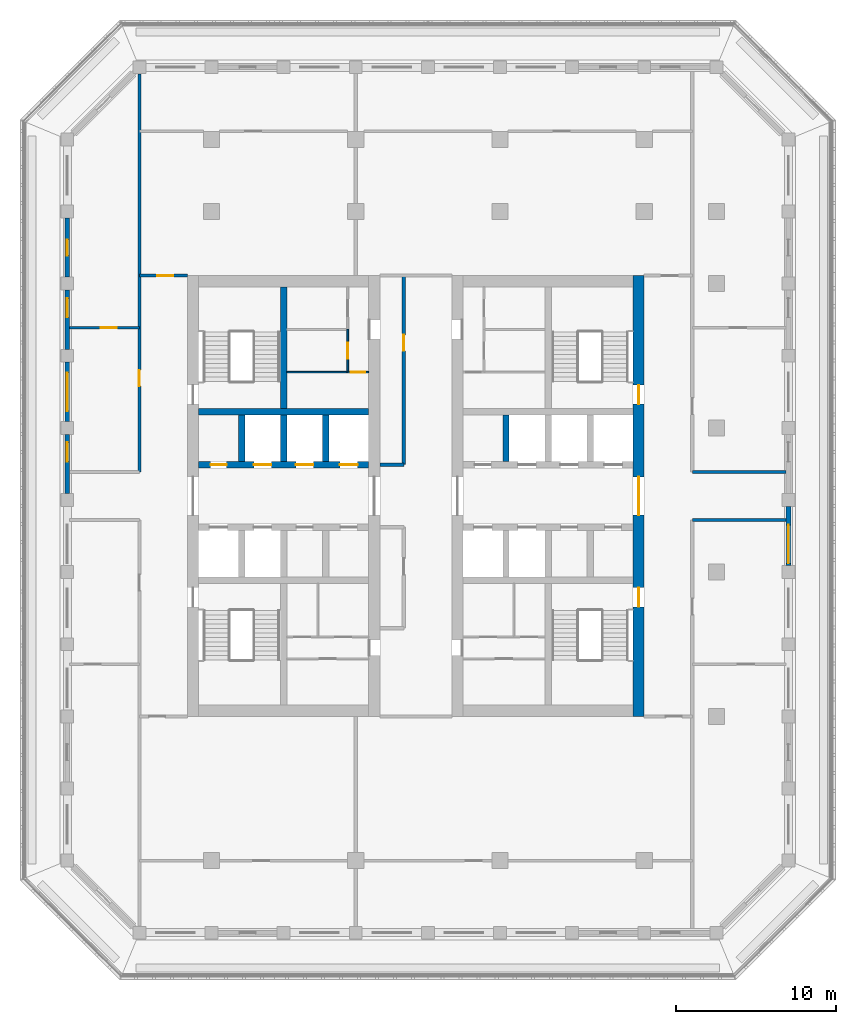
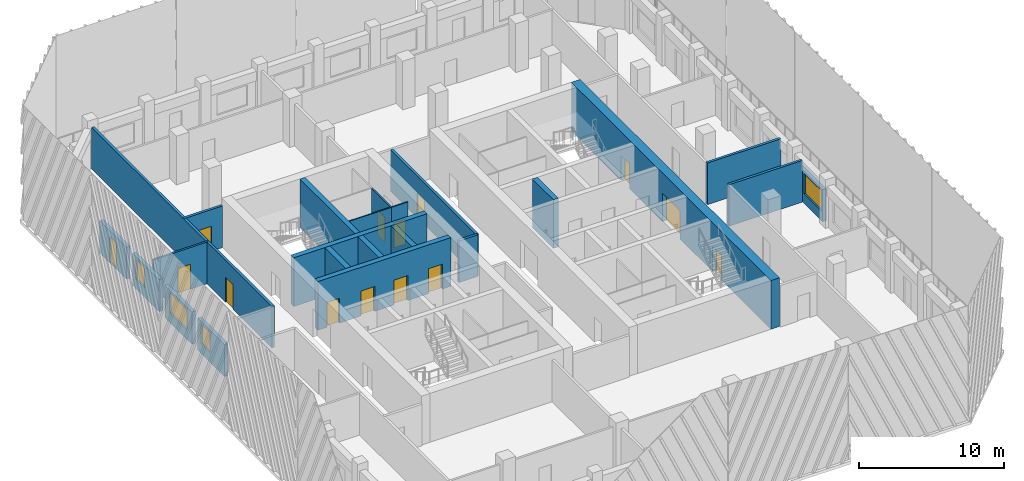
# One storey, part 5 of 17: 23 walls, 14 doors, 4 windows, 18 openings.
"""IFC4 building model written with IfcOpenShell, lengths in metres."""

from ifc_helpers import new_model, si_unit, direction, frame, frame_2d, origin, place, context, subcontext, project, spatial, rectangle, extrude, material, layer, layer_set, type_object, element, fill, save


model = new_model("IFC4")

# Units and contexts
model_context = context("Model", 3, precision=1e-05, world=origin(), true_north=direction((0.0, 1.0)))
body_context = subcontext(model_context, "Body", "Model", "MODEL_VIEW")
ifc_project = project(units=[si_unit("LENGTHUNIT", "METRE"), si_unit("AREAUNIT", "SQUARE_METRE"), si_unit("VOLUMEUNIT", "CUBIC_METRE"), si_unit("PLANEANGLEUNIT", "RADIAN"), si_unit("MASSUNIT", "GRAM", prefix="KILO")], contexts=[model_context])

# Site, building, storey
site_placement = place(None, origin())
site = spatial("IfcSite", under=ifc_project, at=site_placement, CompositionType="ELEMENT")
building_placement = place(site_placement, origin())
building = spatial("IfcBuilding", under=site, at=building_placement, Name="Corbel Stack Research Tower", CompositionType="ELEMENT")
storey_placement = place(building_placement, frame((0.0, 0.0, 256.199951171875)))
storey = spatial("IfcBuildingStorey", under=building, at=storey_placement, Name="L58", CompositionType="ELEMENT", Elevation=256.199951171875)

# Wall, openings, doors
ifc_material_1 = material(Name="Concrete C60/75", Category="concrete")
ifc_layer_1 = layer(ifc_material_1, 0.39990234375)
ifc_layer_set_1 = layer_set([ifc_layer_1], Name="Concrete C60/75")
wall_type_1 = type_object("IfcWallType", Name="CW-400-60", PredefinedType="SHEAR", material=ifc_layer_set_1)
wall_1_placement = place(storey_placement, frame((-9.800048828125, 6.699951171875, 0.0), z_axis=(0.0, 0.0, 1.0), x_axis=(1.0, 0.0, 0.0)))
wall_1 = element("IfcWall", 1, at=wall_1_placement, inside=storey, type_object=wall_type_1, Name="West core wall, lobby north L58", PredefinedType="SHEAR", context=body_context, shape_type="SweptSolid", body=[
    extrude(rectangle(XDim=10.60009765625, YDim=0.39990234375, at=frame_2d((5.300048828125, 0.0))), origin(), (0.0, 0.0, 1.0), 4.10009765625),
])
opening_1_placement = place(wall_1_placement, frame((3.4375, 0.0, 0.0)))
opening_1 = element("IfcOpeningElement", 2, at=opening_1_placement, cuts=wall_1, Name="Opening LD-HR1", PredefinedType="OPENING", context=body_context, shape_type="SweptSolid", body=[
    extrude(rectangle(XDim=1.10009765625, YDim=2.10009765625, at=frame_2d((0.550048828125, 1.050048828125))), frame((0.0, 0.2099609375, 0.0), z_axis=(0.0, -1.0, 0.0), x_axis=(1.0, 0.0, 0.0)), (0.0, 0.0, 1.0), 0.419921875),
])
opening_2_placement = place(wall_1_placement, frame((6.0625, 0.0, 0.0)))
opening_2 = element("IfcOpeningElement", 3, at=opening_2_placement, cuts=wall_1, Name="Opening LD-HR2", PredefinedType="OPENING", context=body_context, shape_type="SweptSolid", body=[
    extrude(rectangle(XDim=1.10009765625, YDim=2.10009765625, at=frame_2d((0.550048828125, 1.050048828125))), frame((0.0, 0.2099609375, 0.0), z_axis=(0.0, -1.0, 0.0), x_axis=(1.0, 0.0, 0.0)), (0.0, 0.0, 1.0), 0.419921875),
])
opening_3_placement = place(wall_1_placement, frame((8.8125, 0.0, 0.0)))
opening_3 = element("IfcOpeningElement", 4, at=opening_3_placement, cuts=wall_1, Name="Opening LD-HR3", PredefinedType="OPENING", context=body_context, shape_type="SweptSolid", body=[
    extrude(rectangle(XDim=1.10009765625, YDim=2.10009765625, at=frame_2d((0.550048828125, 1.050048828125))), frame((0.0, 0.2099609375, 0.0), z_axis=(0.0, -1.0, 0.0), x_axis=(1.0, 0.0, 0.0)), (0.0, 0.0, 1.0), 0.419921875),
])
opening_4_placement = place(wall_1_placement, frame((0.737548828125, 0.0, 0.0)))
opening_4 = element("IfcOpeningElement", 5, at=opening_4_placement, cuts=wall_1, Name="Opening CR-W24-N1", PredefinedType="OPENING", context=body_context, shape_type="SweptSolid", body=[
    extrude(rectangle(XDim=1.0, YDim=2.10009765625, at=frame_2d((0.5, 1.050048828125))), frame((0.0, 0.2099609375, 0.0), z_axis=(0.0, -1.0, 0.0), x_axis=(1.0, 0.0, 0.0)), (0.0, 0.0, 1.0), 0.419921875),
])
ifc_material_2 = material(Name="Stainless steel landing door", Category="steel")
door_type_1 = type_object("IfcDoorType", Name="Lift landing door 1100 x 2100", OperationType="DOUBLE_DOOR_SLIDING", PredefinedType="DOOR", material=ifc_material_2)
door_1_placement = place(opening_1_placement, origin())
door_1 = element("IfcDoor", 6, at=door_1_placement, inside=storey, type_object=door_type_1, Name="Landing door HR1", OperationType="DOUBLE_DOOR_SLIDING", OverallHeight=2.10009765625, OverallWidth=1.10009765625, PredefinedType="DOOR", context=body_context, shape_type="SweptSolid", body=[
    extrude(rectangle(XDim=1.10009765625, YDim=2.10009765625, at=frame_2d((0.550048828125, 1.050048828125))), frame((0.0, 0.02490234375, 0.0), z_axis=(0.0, -1.0, 0.0), x_axis=(1.0, 0.0, 0.0)), (0.0, 0.0, 1.0), 0.050048828125),
])
fill(opening_1, door_1)
door_2_placement = place(opening_2_placement, origin())
door_2 = element("IfcDoor", 7, at=door_2_placement, inside=storey, type_object=door_type_1, Name="Landing door HR2", OperationType="DOUBLE_DOOR_SLIDING", OverallHeight=2.10009765625, OverallWidth=1.10009765625, PredefinedType="DOOR", context=body_context, shape_type="SweptSolid", body=[
    extrude(rectangle(XDim=1.10009765625, YDim=2.10009765625, at=frame_2d((0.550048828125, 1.050048828125))), frame((0.0, 0.02490234375, 0.0), z_axis=(0.0, -1.0, 0.0), x_axis=(1.0, 0.0, 0.0)), (0.0, 0.0, 1.0), 0.050048828125),
])
fill(opening_2, door_2)
door_3_placement = place(opening_3_placement, origin())
door_3 = element("IfcDoor", 8, at=door_3_placement, inside=storey, type_object=door_type_1, Name="Landing door HR3", OperationType="DOUBLE_DOOR_SLIDING", OverallHeight=2.10009765625, OverallWidth=1.10009765625, PredefinedType="DOOR", context=body_context, shape_type="SweptSolid", body=[
    extrude(rectangle(XDim=1.10009765625, YDim=2.10009765625, at=frame_2d((0.550048828125, 1.050048828125))), frame((0.0, 0.02490234375, 0.0), z_axis=(0.0, -1.0, 0.0), x_axis=(1.0, 0.0, 0.0)), (0.0, 0.0, 1.0), 0.050048828125),
])
fill(opening_3, door_3)
ifc_material_3 = material(Name="Painted steel door", Category="steel")
door_type_2 = type_object("IfcDoorType", Name="Service door 1000 x 2100 FD60 left hand", OperationType="SINGLE_SWING_LEFT", PredefinedType="DOOR", material=ifc_material_3)
door_4_placement = place(opening_4_placement, origin())
door_4 = element("IfcDoor", 9, at=door_4_placement, inside=storey, type_object=door_type_2, Name="Telecom room door W core", OperationType="SINGLE_SWING_LEFT", OverallHeight=2.10009765625, OverallWidth=1.0, PredefinedType="DOOR", context=body_context, shape_type="SweptSolid", body=[
    extrude(rectangle(XDim=1.0, YDim=2.10009765625, at=frame_2d((0.5, 1.050048828125))), frame((0.0, 0.02490234375, 0.0), z_axis=(0.0, -1.0, 0.0), x_axis=(1.0, 0.0, 0.0)), (0.0, 0.0, 1.0), 0.050048828125),
])
fill(opening_4, door_4)

# Walls
wall_2_placement = place(storey_placement, frame((-9.800048828125, 10.0, 0.0), z_axis=(0.0, 0.0, 1.0), x_axis=(1.0, 0.0, 0.0)))
element("IfcWall", 10, at=wall_2_placement, inside=storey, type_object=wall_type_1, Name="West core wall, north row back L58", PredefinedType="SHEAR", context=body_context, shape_type="SweptSolid", body=[
    extrude(rectangle(XDim=10.60009765625, YDim=0.39990234375, at=frame_2d((5.300048828125, 0.0))), origin(), (0.0, 0.0, 1.0), 4.10009765625),
])
for number, where, z_axis, x_axis, name in (
    (11, (-7.125, 6.89990234375, 0.0), (0.0, 0.0, 1.0), (0.0, 1.0, 0.0), "West core wall, north shaft 1 L58"),
    (12, (-4.5, 6.89990234375, 0.0), (0.0, 0.0, 1.0), (0.0, 1.0, 0.0), "West core wall, north shaft 2 L58"),
    (13, (-1.875, 6.89990234375, 0.0), (0.0, 0.0, 1.0), (0.0, 1.0, 0.0), "West core wall, north shaft 3 L58"),
):
    element("IfcWall", number, at=place(storey_placement, frame(where, z_axis=z_axis, x_axis=x_axis)), inside=storey, type_object=wall_type_1, Name=name, PredefinedType="SHEAR", context=body_context, shape_type="SweptSolid", body=[
        extrude(rectangle(XDim=2.900146484375, YDim=0.39990234375, at=frame_2d((1.4501953125, 0.0))), origin(), (0.0, 0.0, 1.0), 4.10009765625),
    ])
wall_3_placement = place(storey_placement, frame((-4.5, 10.199951171875, 0.0), z_axis=(0.0, 0.0, 1.0), x_axis=(0.0, 1.0, 0.0)))
element("IfcWall", 14, at=wall_3_placement, inside=storey, type_object=wall_type_1, Name="West core wall, north stair and riser L58", PredefinedType="SHEAR", context=body_context, shape_type="SweptSolid", body=[
    extrude(rectangle(XDim=7.60009765625, YDim=0.39990234375, at=frame_2d((3.800048828125, 0.0))), origin(), (0.0, 0.0, 1.0), 4.10009765625),
])
wall_4_placement = place(storey_placement, frame((9.375, 6.89990234375, 0.0), z_axis=(0.0, 0.0, 1.0), x_axis=(0.0, 1.0, 0.0)))
element("IfcWall", 15, at=wall_4_placement, inside=storey, type_object=wall_type_1, Name="East core wall, north shaft 1 L58", PredefinedType="SHEAR", context=body_context, shape_type="SweptSolid", body=[
    extrude(rectangle(XDim=2.900146484375, YDim=0.39990234375, at=frame_2d((1.4501953125, 0.0))), origin(), (0.0, 0.0, 1.0), 4.10009765625),
])

# Wall, openings, doors
ifc_material_4 = material(Name="Concrete C60/75", Category="concrete")
ifc_layer_2 = layer(ifc_material_4, 0.699951171875)
ifc_layer_set_2 = layer_set([ifc_layer_2], Name="Concrete C60/75")
wall_type_2 = type_object("IfcWallType", Name="CW-700-60", PredefinedType="SHEAR", material=ifc_layer_set_2)
wall_5_placement = place(storey_placement, frame((17.64990234375, -9.0, 0.0), z_axis=(0.0, 0.0, 1.0), x_axis=(0.0, 1.0, 0.0)))
wall_5 = element("IfcWall", 16, at=wall_5_placement, inside=storey, type_object=wall_type_2, Name="East core wall, east face L58", PredefinedType="SHEAR", context=body_context, shape_type="SweptSolid", body=[
    extrude(rectangle(XDim=27.5, YDim=0.699951171875, at=frame_2d((13.75, 0.0))), origin(), (0.0, 0.0, 1.0), 4.10009765625),
])
opening_5_placement = place(wall_5_placement, frame((12.550048828125, 0.0, 0.0)))
opening_5 = element("IfcOpeningElement", 17, at=opening_5_placement, cuts=wall_5, Name="Opening CD-E-E", PredefinedType="OPENING", context=body_context, shape_type="SweptSolid", body=[
    extrude(rectangle(XDim=2.39990234375, YDim=2.39990234375, at=frame_2d((1.199951171875, 1.199951171875))), frame((0.0, 0.35986328125, 0.0), z_axis=(0.0, -1.0, 0.0), x_axis=(1.0, 0.0, 0.0)), (0.0, 0.0, 1.0), 0.719970703125),
])
opening_6_placement = place(wall_5_placement, frame((6.824951171875, 0.0, 0.0)))
opening_6 = element("IfcOpeningElement", 18, at=opening_6_placement, cuts=wall_5, Name="Opening SD-ST-E1", PredefinedType="OPENING", context=body_context, shape_type="SweptSolid", body=[
    extrude(rectangle(XDim=1.199951171875, YDim=2.10009765625, at=frame_2d((0.60009765625, 1.050048828125))), frame((0.0, 0.35986328125, 0.0), z_axis=(0.0, -1.0, 0.0), x_axis=(1.0, 0.0, 0.0)), (0.0, 0.0, 1.0), 0.719970703125),
])
opening_7_placement = place(wall_5_placement, frame((19.47509765625, 0.0, 0.0)))
opening_7 = element("IfcOpeningElement", 19, at=opening_7_placement, cuts=wall_5, Name="Opening SD-ST-E2", PredefinedType="OPENING", context=body_context, shape_type="SweptSolid", body=[
    extrude(rectangle(XDim=1.199951171875, YDim=2.10009765625, at=frame_2d((0.60009765625, 1.050048828125))), frame((0.0, 0.35986328125, 0.0), z_axis=(0.0, -1.0, 0.0), x_axis=(1.0, 0.0, 0.0)), (0.0, 0.0, 1.0), 0.719970703125),
])
ifc_material_5 = material(Name="Painted steel fire door", Category="steel")
door_type_3 = type_object("IfcDoorType", Name="Lobby door pair 2400 x 2400 FD30S", OperationType="DOUBLE_DOOR_DOUBLE_SWING", PredefinedType="DOOR", material=ifc_material_5)
door_5_placement = place(opening_5_placement, origin())
door_5 = element("IfcDoor", 20, at=door_5_placement, inside=storey, type_object=door_type_3, Name="Lift lobby door E core E", OperationType="DOUBLE_DOOR_DOUBLE_SWING", OverallHeight=2.39990234375, OverallWidth=2.39990234375, PredefinedType="DOOR", context=body_context, shape_type="SweptSolid", body=[
    extrude(rectangle(XDim=2.39990234375, YDim=2.39990234375, at=frame_2d((1.199951171875, 1.199951171875))), frame((0.0, 0.02490234375, 0.0), z_axis=(0.0, -1.0, 0.0), x_axis=(1.0, 0.0, 0.0)), (0.0, 0.0, 1.0), 0.050048828125),
])
fill(opening_5, door_5)
ifc_material_6 = material(Name="Painted steel fire door", Category="steel")
door_type_4 = type_object("IfcDoorType", Name="Stair door 1200 x 2100 FD90 right hand", OperationType="SINGLE_SWING_RIGHT", PredefinedType="DOOR", material=ifc_material_6)
door_6_placement = place(opening_6_placement, frame((1.199951171875, 0.0, 0.0), z_axis=(0.0, 0.0, 1.0), x_axis=(-1.0, 0.0, 0.0)))
door_6 = element("IfcDoor", 21, at=door_6_placement, inside=storey, type_object=door_type_4, Name="Stair door ST-E1", OperationType="SINGLE_SWING_LEFT", OverallHeight=2.10009765625, OverallWidth=1.199951171875, PredefinedType="DOOR", context=body_context, shape_type="SweptSolid", body=[
    extrude(rectangle(XDim=1.199951171875, YDim=2.10009765625, at=frame_2d((0.60009765625, 1.050048828125))), frame((0.0, 0.02490234375, 0.0), z_axis=(0.0, -1.0, 0.0), x_axis=(1.0, 0.0, 0.0)), (0.0, 0.0, 1.0), 0.050048828125),
])
fill(opening_6, door_6)
door_7_placement = place(opening_7_placement, frame((1.199951171875, 0.0, 0.0), z_axis=(0.0, 0.0, 1.0), x_axis=(-1.0, 0.0, 0.0)))
door_7 = element("IfcDoor", 22, at=door_7_placement, inside=storey, type_object=door_type_4, Name="Stair door ST-E2", OperationType="SINGLE_SWING_LEFT", OverallHeight=2.10009765625, OverallWidth=1.199951171875, PredefinedType="DOOR", context=body_context, shape_type="SweptSolid", body=[
    extrude(rectangle(XDim=1.199951171875, YDim=2.10009765625, at=frame_2d((0.60009765625, 1.050048828125))), frame((0.0, 0.02490234375, 0.0), z_axis=(0.0, -1.0, 0.0), x_axis=(1.0, 0.0, 0.0)), (0.0, 0.0, 1.0), 0.050048828125),
])
fill(opening_7, door_7)

# Wall, opening, door
ifc_material_7 = material(Name="Gypsum board")
ifc_layer_3 = layer(ifc_material_7, 0.10009765625)
ifc_layer_set_3 = layer_set([ifc_layer_3], Name="Gypsum board")
wall_type_3 = type_object("IfcWallType", Name="Core partition 100", PredefinedType="PARTITIONING", material=ifc_layer_set_3)
wall_6_placement = place(storey_placement, frame((-0.5, 12.47998046875, 0.0), z_axis=(0.0, 0.0, 1.0), x_axis=(1.0, 0.0, 0.0)))
wall_6 = element("IfcWall", 23, at=wall_6_placement, inside=storey, type_object=wall_type_3, Name="Core partition W", PredefinedType="PARTITIONING", context=body_context, shape_type="SweptSolid", body=[
    extrude(rectangle(XDim=1.300048828125, YDim=0.10009765625, at=frame_2d((0.64990234375, 0.0))), origin(), (0.0, 0.0, 1.0), 3.5),
])
opening_8_placement = place(wall_6_placement, frame((0.199951171875, 0.0, 0.0)))
opening_8 = element("IfcOpeningElement", 24, at=opening_8_placement, cuts=wall_6, Name="Opening CR-W24-R1-900", PredefinedType="OPENING", context=body_context, shape_type="SweptSolid", body=[
    extrude(rectangle(XDim=0.89990234375, YDim=2.10009765625, at=frame_2d((0.449951171875, 1.050048828125))), frame((0.0, 0.06005859375, 0.0), z_axis=(0.0, -1.0, 0.0), x_axis=(1.0, 0.0, 0.0)), (0.0, 0.0, 1.0), 0.1201171875),
])
ifc_material_8 = material(Name="Painted steel door", Category="steel")
door_type_5 = type_object("IfcDoorType", Name="Riser door 900 x 2100 FD60 left hand", OperationType="SINGLE_SWING_LEFT", PredefinedType="DOOR", material=ifc_material_8)
door_8_placement = place(opening_8_placement, origin())
door_8 = element("IfcDoor", 25, at=door_8_placement, inside=storey, type_object=door_type_5, Name="Electrical riser door W core", OperationType="SINGLE_SWING_LEFT", OverallHeight=2.10009765625, OverallWidth=0.89990234375, PredefinedType="DOOR", context=body_context, shape_type="SweptSolid", body=[
    extrude(rectangle(XDim=0.89990234375, YDim=2.10009765625, at=frame_2d((0.449951171875, 1.050048828125))), frame((0.0, 0.02490234375, 0.0), z_axis=(0.0, -1.0, 0.0), x_axis=(1.0, 0.0, 0.0)), (0.0, 0.0, 1.0), 0.050048828125),
])
fill(opening_8, door_8)

# Wall
wall_7_placement = place(storey_placement, frame((-4.300048828125, 12.47998046875, 0.0), z_axis=(0.0, 0.0, 1.0), x_axis=(1.0, 0.0, 0.0)))
element("IfcWall", 26, at=wall_7_placement, inside=storey, type_object=wall_type_3, Name="Core partition W", PredefinedType="PARTITIONING", context=body_context, shape_type="SweptSolid", body=[
    extrude(rectangle(XDim=3.800048828125, YDim=0.10009765625, at=frame_2d((1.89990234375, 0.0))), origin(), (0.0, 0.0, 1.0), 3.5),
])

# Wall, opening, door
wall_8_placement = place(storey_placement, frame((-0.5, 12.47998046875, 0.0), z_axis=(0.0, 0.0, 1.0), x_axis=(0.0, 1.0, 0.0)))
wall_8 = element("IfcWall", 27, at=wall_8_placement, inside=storey, type_object=wall_type_3, Name="Core partition W", PredefinedType="PARTITIONING", context=body_context, shape_type="SweptSolid", body=[
    extrude(rectangle(XDim=2.659912109375, YDim=0.10009765625, at=frame_2d((1.330078125, 0.0))), origin(), (0.0, 0.0, 1.0), 3.5),
])
opening_9_placement = place(wall_8_placement, frame((0.830078125, 0.0, 0.0)))
opening_9 = element("IfcOpeningElement", 28, at=opening_9_placement, cuts=wall_8, Name="Opening CR-W24-R3-1000", PredefinedType="OPENING", context=body_context, shape_type="SweptSolid", body=[
    extrude(rectangle(XDim=1.0, YDim=2.10009765625, at=frame_2d((0.5, 1.050048828125))), frame((0.0, 0.06005859375, 0.0), z_axis=(0.0, -1.0, 0.0), x_axis=(1.0, 0.0, 0.0)), (0.0, 0.0, 1.0), 0.1201171875),
])
ifc_material_9 = material(Name="Painted steel door", Category="steel")
door_type_6 = type_object("IfcDoorType", Name="Service door 1000 x 2100 FD30 left hand", OperationType="SINGLE_SWING_LEFT", PredefinedType="DOOR", material=ifc_material_9)
door_9_placement = place(opening_9_placement, origin())
door_9 = element("IfcDoor", 29, at=door_9_placement, inside=storey, type_object=door_type_6, Name="Pantry door W core", OperationType="SINGLE_SWING_LEFT", OverallHeight=2.10009765625, OverallWidth=1.0, PredefinedType="DOOR", context=body_context, shape_type="SweptSolid", body=[
    extrude(rectangle(XDim=1.0, YDim=2.10009765625, at=frame_2d((0.5, 1.050048828125))), frame((0.0, 0.02490234375, 0.0), z_axis=(0.0, -1.0, 0.0), x_axis=(1.0, 0.0, 0.0)), (0.0, 0.0, 1.0), 0.050048828125),
])
fill(opening_9, door_9)

ifc_material_10 = material(Name="Fire-rated gypsum board partition on steel studs", Category="steel")
ifc_layer_4 = layer(ifc_material_10, 0.199951171875)
ifc_layer_set_4 = layer_set([ifc_layer_4], Name="Fire-rated gypsum board partition on steel studs")
wall_type_4 = type_object("IfcWallType", Name="Fire-rated partition 200 EI 60", PredefinedType="PARTITIONING", material=ifc_layer_set_4)
wall_9_placement = place(storey_placement, frame((-13.5, 6.25, 0.0), z_axis=(0.0, 0.0, 1.0), x_axis=(0.0, 1.0, 0.0)))
wall_9 = element("IfcWall", 30, at=wall_9_placement, inside=storey, type_object=wall_type_4, Name="Partition L58-002", PredefinedType="PARTITIONING", context=body_context, shape_type="SweptSolid", body=[
    extrude(rectangle(XDim=24.8271484375, YDim=0.199951171875, at=frame_2d((12.41357421875, 0.0))), origin(), (0.0, 0.0, 1.0), 3.5),
])
opening_10_placement = place(wall_9_placement, frame((5.35009765625, 0.0, 0.0)))
opening_10 = element("IfcOpeningElement", 31, at=opening_10_placement, cuts=wall_9, Name="Opening B7V2-004", PredefinedType="OPENING", context=body_context, shape_type="SweptSolid", body=[
    extrude(rectangle(XDim=1.0, YDim=2.10009765625, at=frame_2d((0.5, 1.050048828125))), frame((0.0, 0.10986328125, 0.0), z_axis=(0.0, -1.0, 0.0), x_axis=(1.0, 0.0, 0.0)), (0.0, 0.0, 1.0), 0.219970703125),
])
ifc_material_11 = material(Name="Painted steel fire door", Category="steel")
door_type_7 = type_object("IfcDoorType", Name="Fire door FD30S 1000 x 2100", OperationType="NOTDEFINED", PredefinedType="DOOR", material=ifc_material_11)
door_10_placement = place(opening_10_placement, origin())
door_10 = element("IfcDoor", 32, at=door_10_placement, inside=storey, type_object=door_type_7, Name="Door B7V2-004", OperationType="SINGLE_SWING_LEFT", OverallHeight=2.10009765625, OverallWidth=1.0, PredefinedType="DOOR", context=body_context, shape_type="SweptSolid", body=[
    extrude(rectangle(XDim=1.0, YDim=2.10009765625, at=frame_2d((0.5, 1.050048828125))), frame((0.0, 0.02490234375, 0.0), z_axis=(0.0, -1.0, 0.0), x_axis=(1.0, 0.0, 0.0)), (0.0, 0.0, 1.0), 0.050048828125),
])
fill(opening_10, door_10)

wall_10_placement = place(storey_placement, frame((3.0, 6.699951171875, 0.0), z_axis=(0.0, 0.0, 1.0), x_axis=(0.0, 1.0, 0.0)))
wall_10 = element("IfcWall", 33, at=wall_10_placement, inside=storey, type_object=wall_type_4, Name="Partition L58-009", PredefinedType="PARTITIONING", context=body_context, shape_type="SweptSolid", body=[
    extrude(rectangle(XDim=11.800048828125, YDim=0.199951171875, at=frame_2d((5.89990234375, 0.0))), origin(), (0.0, 0.0, 1.0), 3.5),
])
opening_11_placement = place(wall_10_placement, frame((7.10009765625, 0.0, 0.0)))
opening_11 = element("IfcOpeningElement", 34, at=opening_11_placement, cuts=wall_10, Name="Opening B7V2-010", PredefinedType="OPENING", context=body_context, shape_type="SweptSolid", body=[
    extrude(rectangle(XDim=1.0, YDim=2.10009765625, at=frame_2d((0.5, 1.050048828125))), frame((0.0, 0.10986328125, 0.0), z_axis=(0.0, -1.0, 0.0), x_axis=(1.0, 0.0, 0.0)), (0.0, 0.0, 1.0), 0.219970703125),
])
door_11_placement = place(opening_11_placement, origin())
door_11 = element("IfcDoor", 35, at=door_11_placement, inside=storey, type_object=door_type_7, Name="Door B7V2-010", OperationType="SINGLE_SWING_RIGHT", OverallHeight=2.10009765625, OverallWidth=1.0, PredefinedType="DOOR", context=body_context, shape_type="SweptSolid", body=[
    extrude(rectangle(XDim=1.0, YDim=2.10009765625, at=frame_2d((0.5, 1.050048828125))), frame((0.0, 0.02490234375, 0.0), z_axis=(0.0, -1.0, 0.0), x_axis=(1.0, 0.0, 0.0)), (0.0, 0.0, 1.0), 0.050048828125),
])
fill(opening_11, door_11)

# Walls
for number, where, z_axis, x_axis, name in (
    (36, (21.0, 3.25, 0.0), (0.0, 0.0, 1.0), (1.0, 0.0, 0.0), "Partition L58-025"),
    (37, (21.0, 6.25, 0.0), (0.0, 0.0, 1.0), (1.0, 0.0, 0.0), "Partition L58-027"),
):
    element("IfcWall", number, at=place(storey_placement, frame(where, z_axis=z_axis, x_axis=x_axis)), inside=storey, type_object=wall_type_4, Name=name, PredefinedType="PARTITIONING", context=body_context, shape_type="SweptSolid", body=[
        extrude(rectangle(XDim=5.85009765625, YDim=0.199951171875, at=frame_2d((2.925048828125, 0.0))), origin(), (0.0, 0.0, 1.0), 3.5),
    ])
wall_11_placement = place(storey_placement, frame((1.5, 6.699951171875, 0.0), z_axis=(0.0, 0.0, 1.0), x_axis=(1.0, 0.0, 0.0)))
element("IfcWall", 38, at=wall_11_placement, inside=storey, type_object=wall_type_4, Name="Partition L58-028", PredefinedType="PARTITIONING", context=body_context, shape_type="SweptSolid", body=[
    extrude(rectangle(XDim=1.5, YDim=0.199951171875, at=frame_2d((0.75, 0.0))), origin(), (0.0, 0.0, 1.0), 3.5),
])

# Wall, opening, door
wall_12_placement = place(storey_placement, frame((-13.5, 18.5, 0.0), z_axis=(0.0, 0.0, 1.0), x_axis=(1.0, 0.0, 0.0)))
wall_12 = element("IfcWall", 39, at=wall_12_placement, inside=storey, type_object=wall_type_4, Name="Partition L58-031", PredefinedType="PARTITIONING", context=body_context, shape_type="SweptSolid", body=[
    extrude(rectangle(XDim=3.0, YDim=0.199951171875, at=frame_2d((1.5, 0.0))), origin(), (0.0, 0.0, 1.0), 3.5),
])
opening_12_placement = place(wall_12_placement, frame((1.10009765625, 0.0, 0.0)))
opening_12 = element("IfcOpeningElement", 40, at=opening_12_placement, cuts=wall_12, Name="Opening B7V2-013", PredefinedType="OPENING", context=body_context, shape_type="SweptSolid", body=[
    extrude(rectangle(XDim=1.0, YDim=2.10009765625, at=frame_2d((0.5, 1.050048828125))), frame((0.0, 0.10986328125, 0.0), z_axis=(0.0, -1.0, 0.0), x_axis=(1.0, 0.0, 0.0)), (0.0, 0.0, 1.0), 0.219970703125),
])
door_12_placement = place(opening_12_placement, origin())
door_12 = element("IfcDoor", 41, at=door_12_placement, inside=storey, type_object=door_type_7, Name="Door B7V2-013", OperationType="SINGLE_SWING_RIGHT", OverallHeight=2.10009765625, OverallWidth=1.0, PredefinedType="DOOR", context=body_context, shape_type="SweptSolid", body=[
    extrude(rectangle(XDim=1.0, YDim=2.10009765625, at=frame_2d((0.5, 1.050048828125))), frame((0.0, 0.02490234375, 0.0), z_axis=(0.0, -1.0, 0.0), x_axis=(1.0, 0.0, 0.0)), (0.0, 0.0, 1.0), 0.050048828125),
])
fill(opening_12, door_12)

ifc_material_12 = material(Name="Gypsum board partition on steel studs", Category="steel")
ifc_layer_5 = layer(ifc_material_12, 0.14990234375)
ifc_layer_set_5 = layer_set([ifc_layer_5], Name="Gypsum board partition on steel studs")
wall_type_5 = type_object("IfcWallType", Name="Partition 150", PredefinedType="PARTITIONING", material=ifc_layer_set_5)
wall_13_placement = place(storey_placement, frame((-17.85009765625, 15.25, 0.0), z_axis=(0.0, 0.0, 1.0), x_axis=(1.0, 0.0, 0.0)))
wall_13 = element("IfcWall", 42, at=wall_13_placement, inside=storey, type_object=wall_type_5, Name="Partition L58-029", PredefinedType="PARTITIONING", context=body_context, shape_type="SweptSolid", body=[
    extrude(rectangle(XDim=4.35009765625, YDim=0.14990234375, at=frame_2d((2.175048828125, 0.0))), origin(), (0.0, 0.0, 1.0), 3.5),
])
opening_13_placement = place(wall_13_placement, frame((1.949951171875, 0.0, 0.0)))
opening_13 = element("IfcOpeningElement", 43, at=opening_13_placement, cuts=wall_13, Name="Opening B7V2-011", PredefinedType="OPENING", context=body_context, shape_type="SweptSolid", body=[
    extrude(rectangle(XDim=1.0, YDim=2.10009765625, at=frame_2d((0.5, 1.050048828125))), frame((0.0, 0.0849609375, 0.0), z_axis=(0.0, -1.0, 0.0), x_axis=(1.0, 0.0, 0.0)), (0.0, 0.0, 1.0), 0.169921875),
])
ifc_material_13 = material(Name="Painted timber door", Category="wood")
door_type_8 = type_object("IfcDoorType", Name="Single door 1000 x 2100", OperationType="NOTDEFINED", PredefinedType="DOOR", material=ifc_material_13)
door_13_placement = place(opening_13_placement, origin())
door_13 = element("IfcDoor", 44, at=door_13_placement, inside=storey, type_object=door_type_8, Name="Door B7V2-011", OperationType="SINGLE_SWING_RIGHT", OverallHeight=2.10009765625, OverallWidth=1.0, PredefinedType="DOOR", context=body_context, shape_type="SweptSolid", body=[
    extrude(rectangle(XDim=1.0, YDim=2.10009765625, at=frame_2d((0.5, 1.050048828125))), frame((0.0, 0.02490234375, 0.0), z_axis=(0.0, -1.0, 0.0), x_axis=(1.0, 0.0, 0.0)), (0.0, 0.0, 1.0), 0.050048828125),
])
fill(opening_13, door_13)

# Wall, opening, window
ifc_material_14 = material(Name="Concrete C45/55", Category="concrete")
ifc_layer_6 = layer(ifc_material_14, 0.300048828125)
ifc_layer_set_6 = layer_set([ifc_layer_6], Name="Concrete C45/55")
wall_type_6 = type_object("IfcWallType", Name="Terracotta-faced concrete wall 300", PredefinedType="SOLIDWALL", material=ifc_layer_set_6)
wall_14_placement = place(storey_placement, frame((27.0, 4.10009765625, 0.0), z_axis=(0.0, 0.0, 1.0), x_axis=(0.0, -1.0, 0.0)))
wall_14 = element("IfcWall", 45, at=wall_14_placement, inside=storey, type_object=wall_type_6, Name="Facade wall L58 E05", PredefinedType="SOLIDWALL", context=body_context, shape_type="SweptSolid", body=[
    extrude(rectangle(XDim=3.7001953125, YDim=0.300048828125, at=frame_2d((1.85009765625, 0.0))), origin(), (0.0, 0.0, 1.0), 2.699951171875),
])
opening_14_placement = place(wall_14_placement, frame((1.14990234375, 0.0, 0.800048828125)))
opening_14 = element("IfcOpeningElement", 46, at=opening_14_placement, cuts=wall_14, Name="Opening W1", PredefinedType="OPENING", context=body_context, shape_type="SweptSolid", body=[
    extrude(rectangle(XDim=2.39990234375, YDim=1.699951171875, at=frame_2d((1.199951171875, 0.85009765625))), frame((0.0, 0.159912109375, 0.0), z_axis=(0.0, -1.0, 0.0), x_axis=(1.0, 0.0, 0.0)), (0.0, 0.0, 1.0), 0.320068359375),
])
ifc_material_15 = material(Name="Aluminium frame, clear double glazing", Category="aluminium")
window_type_1 = type_object("IfcWindowType", Name="Window W1 2400 x 1700", PartitioningType="SINGLE_PANEL", PredefinedType="WINDOW", material=ifc_material_15)
window_1_placement = place(opening_14_placement, origin())
window_1 = element("IfcWindow", 47, at=window_1_placement, inside=storey, type_object=window_type_1, Name="Window W1 L58 E05", OverallHeight=1.699951171875, OverallWidth=2.39990234375, PartitioningType="SINGLE_PANEL", PredefinedType="WINDOW", context=body_context, shape_type="SweptSolid", body=[
    extrude(rectangle(XDim=2.39990234375, YDim=1.699951171875, at=frame_2d((1.199951171875, 0.85009765625))), frame((0.0, 0.030029296875, 0.0), z_axis=(0.0, -1.0, 0.0), x_axis=(1.0, 0.0, 0.0)), (0.0, 0.0, 1.0), 0.06005859375),
])
fill(opening_14, window_1)

# Wall, opening, door
wall_15_placement = place(storey_placement, frame((-18.0, 18.39990234375, 0.0), z_axis=(0.0, 0.0, 1.0), x_axis=(0.0, 1.0, 0.0)))
wall_15 = element("IfcWall", 48, at=wall_15_placement, inside=storey, type_object=wall_type_6, Name="Facade wall L58 W02", PredefinedType="SOLIDWALL", context=body_context, shape_type="SweptSolid", body=[
    extrude(rectangle(XDim=3.7001953125, YDim=0.300048828125, at=frame_2d((1.85009765625, 0.0))), origin(), (0.0, 0.0, 1.0), 2.699951171875),
])
opening_15_placement = place(wall_15_placement, frame((1.35009765625, 0.0, 0.0)))
opening_15 = element("IfcOpeningElement", 49, at=opening_15_placement, cuts=wall_15, Name="Opening L58-B10", PredefinedType="OPENING", context=body_context, shape_type="SweptSolid", body=[
    extrude(rectangle(XDim=1.0, YDim=2.199951171875, at=frame_2d((0.5, 1.10009765625))), frame((0.0, 0.159912109375, 0.0), z_axis=(0.0, -1.0, 0.0), x_axis=(1.0, 0.0, 0.0)), (0.0, 0.0, 1.0), 0.320068359375),
])
ifc_material_16 = material(Name="Aluminium frame, clear double glazing", Category="aluminium")
door_type_9 = type_object("IfcDoorType", Name="Balcony door BD1 1000 x 2200", OperationType="NOTDEFINED", PredefinedType="DOOR", material=ifc_material_16)
door_14_placement = place(opening_15_placement, origin())
door_14 = element("IfcDoor", 50, at=door_14_placement, inside=storey, type_object=door_type_9, Name="Balcony door L58-B10", OperationType="SINGLE_SWING_RIGHT", OverallHeight=2.199951171875, OverallWidth=1.0, PredefinedType="DOOR", context=body_context, shape_type="SweptSolid", body=[
    extrude(rectangle(XDim=1.0, YDim=2.199951171875, at=frame_2d((0.5, 1.10009765625))), frame((0.0, 0.02490234375, 0.0), z_axis=(0.0, -1.0, 0.0), x_axis=(1.0, 0.0, 0.0)), (0.0, 0.0, 1.0), 0.050048828125),
])
fill(opening_15, door_14)

# Wall, opening, window
wall_16_placement = place(storey_placement, frame((-18.0, 13.89990234375, 0.0), z_axis=(0.0, 0.0, 1.0), x_axis=(0.0, 1.0, 0.0)))
wall_16 = element("IfcWall", 51, at=wall_16_placement, inside=storey, type_object=wall_type_6, Name="Facade wall L58 W03", PredefinedType="SOLIDWALL", context=body_context, shape_type="SweptSolid", body=[
    extrude(rectangle(XDim=3.7001953125, YDim=0.300048828125, at=frame_2d((1.85009765625, 0.0))), origin(), (0.0, 0.0, 1.0), 2.699951171875),
])
opening_16_placement = place(wall_16_placement, frame((1.987548828125, 0.0, 0.800048828125)))
opening_16 = element("IfcOpeningElement", 52, at=opening_16_placement, cuts=wall_16, Name="Opening W2", PredefinedType="OPENING", context=body_context, shape_type="SweptSolid", body=[
    extrude(rectangle(XDim=1.199951171875, YDim=1.699951171875, at=frame_2d((0.60009765625, 0.85009765625))), frame((0.0, 0.159912109375, 0.0), z_axis=(0.0, -1.0, 0.0), x_axis=(1.0, 0.0, 0.0)), (0.0, 0.0, 1.0), 0.320068359375),
])
ifc_material_17 = material(Name="Aluminium frame, clear double glazing", Category="aluminium")
window_type_2 = type_object("IfcWindowType", Name="Window W2 1200 x 1700", PartitioningType="SINGLE_PANEL", PredefinedType="WINDOW", material=ifc_material_17)
window_2_placement = place(opening_16_placement, origin())
window_2 = element("IfcWindow", 53, at=window_2_placement, inside=storey, type_object=window_type_2, Name="Window W2 L58 W03", OverallHeight=1.699951171875, OverallWidth=1.199951171875, PartitioningType="SINGLE_PANEL", PredefinedType="WINDOW", context=body_context, shape_type="SweptSolid", body=[
    extrude(rectangle(XDim=1.199951171875, YDim=1.699951171875, at=frame_2d((0.60009765625, 0.85009765625))), frame((0.0, 0.030029296875, 0.0), z_axis=(0.0, -1.0, 0.0), x_axis=(1.0, 0.0, 0.0)), (0.0, 0.0, 1.0), 0.06005859375),
])
fill(opening_16, window_2)

wall_17_placement = place(storey_placement, frame((-18.0, 9.39990234375, 0.0), z_axis=(0.0, 0.0, 1.0), x_axis=(0.0, 1.0, 0.0)))
wall_17 = element("IfcWall", 54, at=wall_17_placement, inside=storey, type_object=wall_type_6, Name="Facade wall L58 W04", PredefinedType="SOLIDWALL", context=body_context, shape_type="SweptSolid", body=[
    extrude(rectangle(XDim=3.7001953125, YDim=0.300048828125, at=frame_2d((1.85009765625, 0.0))), origin(), (0.0, 0.0, 1.0), 2.699951171875),
])
opening_17_placement = place(wall_17_placement, frame((0.64990234375, 0.0, 0.800048828125)))
opening_17 = element("IfcOpeningElement", 55, at=opening_17_placement, cuts=wall_17, Name="Opening W1", PredefinedType="OPENING", context=body_context, shape_type="SweptSolid", body=[
    extrude(rectangle(XDim=2.39990234375, YDim=1.699951171875, at=frame_2d((1.199951171875, 0.85009765625))), frame((0.0, 0.159912109375, 0.0), z_axis=(0.0, -1.0, 0.0), x_axis=(1.0, 0.0, 0.0)), (0.0, 0.0, 1.0), 0.320068359375),
])
window_3_placement = place(opening_17_placement, origin())
window_3 = element("IfcWindow", 56, at=window_3_placement, inside=storey, type_object=window_type_1, Name="Window W1 L58 W04", OverallHeight=1.699951171875, OverallWidth=2.39990234375, PartitioningType="SINGLE_PANEL", PredefinedType="WINDOW", context=body_context, shape_type="SweptSolid", body=[
    extrude(rectangle(XDim=2.39990234375, YDim=1.699951171875, at=frame_2d((1.199951171875, 0.85009765625))), frame((0.0, 0.030029296875, 0.0), z_axis=(0.0, -1.0, 0.0), x_axis=(1.0, 0.0, 0.0)), (0.0, 0.0, 1.0), 0.06005859375),
])
fill(opening_17, window_3)

wall_18_placement = place(storey_placement, frame((-18.0, 4.89990234375, 0.0), z_axis=(0.0, 0.0, 1.0), x_axis=(0.0, 1.0, 0.0)))
wall_18 = element("IfcWall", 57, at=wall_18_placement, inside=storey, type_object=wall_type_6, Name="Facade wall L58 W05", PredefinedType="SOLIDWALL", context=body_context, shape_type="SweptSolid", body=[
    extrude(rectangle(XDim=3.7001953125, YDim=0.300048828125, at=frame_2d((1.85009765625, 0.0))), origin(), (0.0, 0.0, 1.0), 2.699951171875),
])
opening_18_placement = place(wall_18_placement, frame((2.0, 0.0, 0.800048828125)))
opening_18 = element("IfcOpeningElement", 58, at=opening_18_placement, cuts=wall_18, Name="Opening W2", PredefinedType="OPENING", context=body_context, shape_type="SweptSolid", body=[
    extrude(rectangle(XDim=1.199951171875, YDim=1.699951171875, at=frame_2d((0.60009765625, 0.85009765625))), frame((0.0, 0.159912109375, 0.0), z_axis=(0.0, -1.0, 0.0), x_axis=(1.0, 0.0, 0.0)), (0.0, 0.0, 1.0), 0.320068359375),
])
window_4_placement = place(opening_18_placement, origin())
window_4 = element("IfcWindow", 59, at=window_4_placement, inside=storey, type_object=window_type_2, Name="Window W2 L58 W05", OverallHeight=1.699951171875, OverallWidth=1.199951171875, PartitioningType="SINGLE_PANEL", PredefinedType="WINDOW", context=body_context, shape_type="SweptSolid", body=[
    extrude(rectangle(XDim=1.199951171875, YDim=1.699951171875, at=frame_2d((0.60009765625, 0.85009765625))), frame((0.0, 0.030029296875, 0.0), z_axis=(0.0, -1.0, 0.0), x_axis=(1.0, 0.0, 0.0)), (0.0, 0.0, 1.0), 0.06005859375),
])
fill(opening_18, window_4)

save(model, "model.ifc")
